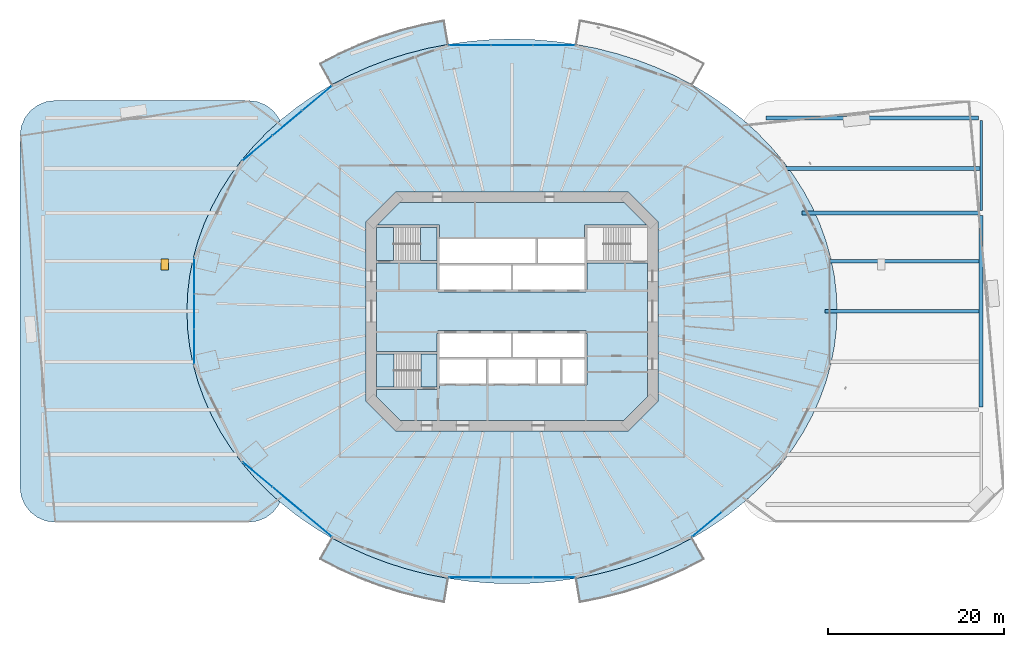
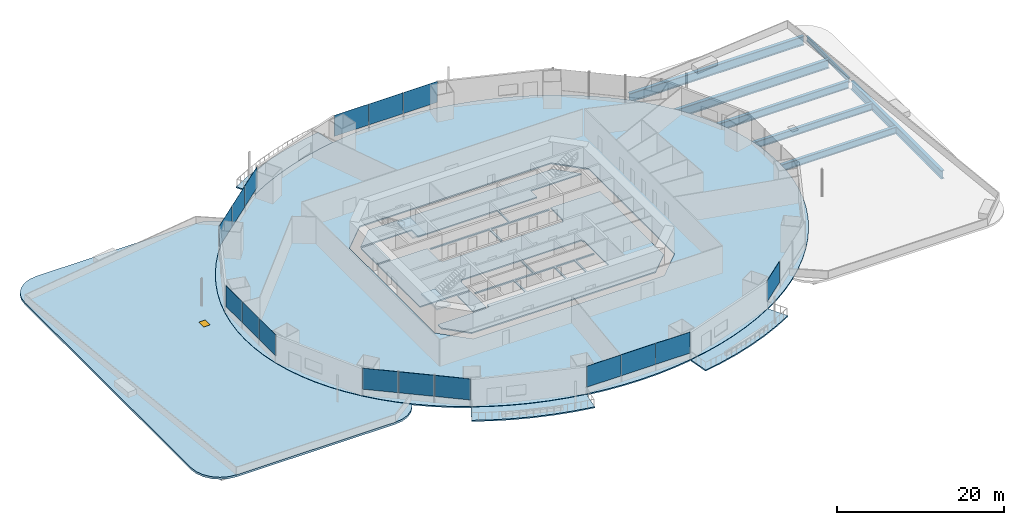
# One storey, part 16 of 27: 16 plates, 11 slabs, 7 beams, 1 window, 1 opening, 8 elements without a shape of their own.
"""IFC4 building model written with IfcOpenShell, lengths in metres."""

from ifc_helpers import new_model, si_unit, direction, frame, origin, origin_2d, place, context, subcontext, project, spatial, polyline, rectangle, i_section, outline, extrude, material, layer, layer_set, material_profile, profile_set, type_object, element, fill, aggregate, save


model = new_model("IFC4")

# Units and contexts
model_context = context("Model", 3, precision=1e-05, world=origin(), true_north=direction((0.0, 1.0)))
body_context = subcontext(model_context, "Body", "Model", "MODEL_VIEW")
ifc_project = project(units=[si_unit("LENGTHUNIT", "METRE"), si_unit("AREAUNIT", "SQUARE_METRE"), si_unit("VOLUMEUNIT", "CUBIC_METRE"), si_unit("PLANEANGLEUNIT", "RADIAN"), si_unit("MASSUNIT", "GRAM", prefix="KILO")], contexts=[model_context])

# Site, building, storey
site_placement = place(None, origin())
site = spatial("IfcSite", under=ifc_project, at=site_placement, CompositionType="ELEMENT")
building_placement = place(site_placement, origin())
building = spatial("IfcBuilding", under=site, at=building_placement, Name="Marenthal Gate Tower", CompositionType="ELEMENT")
storey_placement = place(building_placement, frame((0.0, 0.0, 33.0)))
storey = spatial("IfcBuildingStorey", under=building, at=storey_placement, Name="L04", CompositionType="ELEMENT", Elevation=33.0)

# Beams
ifc_material_1 = material(Name="Steel S355", Category="steel")
ifc_material_profile_1 = material_profile(ifc_material_1, i_section(OverallWidth=0.419921875, OverallDepth=1.0, WebThickness=0.02001953125, FlangeThickness=0.035888671875, at=origin_2d()), Name="PLATE GIRDER 1000X420X20X36")
ifc_profile_set_1 = profile_set([ifc_material_profile_1], Name="Steel S355")
beam_type_1 = type_object("IfcBeamType", Name="PLATE GIRDER 1000X420X20X36 beam", PredefinedType="BEAM", material=ifc_profile_set_1)
beam_1_placement = place(storey_placement, frame((35.62158203125, 0.0, -0.840087890625), z_axis=(1.0, 0.0, 0.0), x_axis=(0.0, 1.0, 0.0)))
element("IfcBeam", 1, at=beam_1_placement, inside=storey, type_object=beam_type_1, Name="BM-L04-108", PredefinedType="BEAM", context=body_context, shape_type="SweptSolid", body=[
    extrude(i_section(OverallWidth=0.419921875, OverallDepth=1.0, WebThickness=0.02001953125, FlangeThickness=0.035888671875, at=origin_2d()), origin(), (0.0, 0.0, 1.0), 17.553466796875),
])
beam_2_placement = place(storey_placement, frame((36.061279296875, 5.716064453125, -0.840087890625), z_axis=(1.0, 0.0, 0.0), x_axis=(0.0, 1.0, 0.0)))
element("IfcBeam", 2, at=beam_2_placement, inside=storey, type_object=beam_type_1, Name="BM-L04-109", PredefinedType="BEAM", context=body_context, shape_type="SweptSolid", body=[
    extrude(i_section(OverallWidth=0.419921875, OverallDepth=1.0, WebThickness=0.02001953125, FlangeThickness=0.035888671875, at=origin_2d()), origin(), (0.0, 0.0, 1.0), 17.11376953125),
])
ifc_material_2 = material(Name="Steel S355", Category="steel")
ifc_material_profile_2 = material_profile(ifc_material_2, i_section(OverallWidth=0.429931640625, OverallDepth=1.10009765625, WebThickness=0.02001953125, FlangeThickness=0.0400390625, at=origin_2d()), Name="PLATE GIRDER 1100X430X20X40")
ifc_profile_set_2 = profile_set([ifc_material_profile_2], Name="Steel S355")
beam_type_2 = type_object("IfcBeamType", Name="PLATE GIRDER 1100X430X20X40 beam", PredefinedType="BEAM", material=ifc_profile_set_2)
beam_3_placement = place(storey_placement, frame((33.002685546875, 11.199951171875, -0.889892578125), z_axis=(1.0, 0.0, 0.0), x_axis=(0.0, 1.0, 0.0)))
element("IfcBeam", 3, at=beam_3_placement, inside=storey, type_object=beam_type_2, Name="BM-L04-110", PredefinedType="BEAM", context=body_context, shape_type="SweptSolid", body=[
    extrude(i_section(OverallWidth=0.429931640625, OverallDepth=1.10009765625, WebThickness=0.02001953125, FlangeThickness=0.0400390625, at=origin_2d()), origin(), (0.0, 0.0, 1.0), 20.097412109375),
])
ifc_material_3 = material(Name="Steel S355", Category="steel")
ifc_material_profile_3 = material_profile(ifc_material_3, i_section(OverallWidth=0.449951171875, OverallDepth=1.199951171875, WebThickness=0.02197265625, FlangeThickness=0.0400390625, at=origin_2d()), Name="PLATE GIRDER 1200X450X22X40")
ifc_profile_set_3 = profile_set([ifc_material_profile_3], Name="Steel S355")
beam_type_3 = type_object("IfcBeamType", Name="PLATE GIRDER 1200X450X22X40 beam", PredefinedType="BEAM", material=ifc_profile_set_3)
beam_4_placement = place(storey_placement, frame((53.39990234375, -10.89990234375, -0.93994140625), z_axis=(0.0, 1.0, 0.0), x_axis=(-1.0, 0.0, 0.0)))
element("IfcBeam", 4, at=beam_4_placement, inside=storey, type_object=beam_type_3, Name="BM-L04-102", PredefinedType="BEAM", context=body_context, shape_type="SweptSolid", body=[
    extrude(i_section(OverallWidth=0.449951171875, OverallDepth=1.199951171875, WebThickness=0.02197265625, FlangeThickness=0.0400390625, at=origin_2d()), origin(), (0.0, 0.0, 1.0), 21.7998046875),
])
ifc_material_4 = material(Name="Steel S355", Category="steel")
ifc_material_profile_4 = material_profile(ifc_material_4, i_section(OverallWidth=0.4599609375, OverallDepth=1.300048828125, WebThickness=0.02490234375, FlangeThickness=0.044921875, at=origin_2d()), Name="PLATE GIRDER 1300X460X25X45")
ifc_profile_set_4 = profile_set([ifc_material_profile_4], Name="Steel S355")
beam_type_4 = type_object("IfcBeamType", Name="PLATE GIRDER 1300X460X25X45 beam", PredefinedType="BEAM", material=ifc_profile_set_4)
beam_5_placement = place(storey_placement, frame((31.148193359375, 16.2783203125, -0.989990234375), z_axis=(1.0, 0.0, 0.0), x_axis=(0.0, 1.0, 0.0)))
element("IfcBeam", 5, at=beam_5_placement, inside=storey, type_object=beam_type_4, Name="BM-L04-111", PredefinedType="BEAM", context=body_context, shape_type="SweptSolid", body=[
    extrude(i_section(OverallWidth=0.4599609375, OverallDepth=1.300048828125, WebThickness=0.02490234375, FlangeThickness=0.044921875, at=origin_2d()), origin(), (0.0, 0.0, 1.0), 22.124755859375),
])
beam_6_placement = place(storey_placement, frame((28.89990234375, 22.0, -0.989990234375), z_axis=(1.0, 0.0, 0.0), x_axis=(0.0, 1.0, 0.0)))
element("IfcBeam", 6, at=beam_6_placement, inside=storey, type_object=beam_type_4, Name="BM-L04-112", PredefinedType="BEAM", context=body_context, shape_type="SweptSolid", body=[
    extrude(i_section(OverallWidth=0.4599609375, OverallDepth=1.300048828125, WebThickness=0.02490234375, FlangeThickness=0.044921875, at=origin_2d()), origin(), (0.0, 0.0, 1.0), 24.2001953125),
])
ifc_material_5 = material(Name="Steel S355", Category="steel")
ifc_material_profile_5 = material_profile(ifc_material_5, i_section(OverallWidth=0.25390625, OverallDepth=0.68310546875, WebThickness=0.012451171875, FlangeThickness=0.018798828125, FilletRadius=0.01513671875, at=origin_2d()), Name="W690X140")
ifc_profile_set_5 = profile_set([ifc_material_profile_5], Name="Steel S355")
beam_type_5 = type_object("IfcBeamType", Name="W690X140 beam", PredefinedType="BEAM", material=ifc_profile_set_5)
beam_7_placement = place(storey_placement, frame((53.39990234375, 11.5, -0.681396484375), z_axis=(0.0, 1.0, 0.0), x_axis=(-1.0, 0.0, 0.0)))
element("IfcBeam", 7, at=beam_7_placement, inside=storey, type_object=beam_type_5, Name="BM-L04-103", PredefinedType="BEAM", context=body_context, shape_type="SweptSolid", body=[
    extrude(i_section(OverallWidth=0.25390625, OverallDepth=0.68310546875, WebThickness=0.012451171875, FlangeThickness=0.018798828125, FilletRadius=0.01513671875, at=origin_2d()), origin(), (0.0, 0.0, 1.0), 10.199951171875),
])

# Slabs
ifc_material_6 = material(Name="Concrete 40 MPa", Category="concrete")
ifc_layer_1 = layer(ifc_material_6, 0.179931640625)
ifc_layer_set_1 = layer_set([ifc_layer_1], Name="Balcony deck 180")
slab_type_1 = type_object("IfcSlabType", Name="Balcony deck 180", PredefinedType="USERDEFINED", material=ifc_layer_set_1)
slab_1_placement = place(storey_placement, frame((0.0, 0.0, -0.219970703125)))
element("IfcSlab", 8, at=slab_1_placement, inside=storey, type_object=slab_type_1, Name="Balcony deck L04 bay 5", ObjectType="BALCONY", PredefinedType="USERDEFINED", context=body_context, shape_type="SweptSolid", body=[
    extrude(outline(polyline([(-7.21826171875, 30.404296875), (-9.576416015625, 29.943603515625), (-11.893310546875, 29.354736328125), (-14.1591796875, 28.640380859375), (-16.36474609375, 27.802978515625), (-18.5, 26.8466796875), (-20.55615234375, 25.775634765625), (-21.923828125, 28.21875), (-19.71923828125, 29.367431640625), (-17.433837890625, 30.390869140625), (-15.077392578125, 31.28564453125), (-12.6591796875, 32.048095703125), (-10.189697265625, 32.67578125), (-7.678466796875, 33.166259765625), (-7.21826171875, 30.404296875)])), origin(), (0.0, 0.0, 1.0), 0.179931640625),
])
slab_2_placement = place(storey_placement, frame((0.0, 0.0, -0.219970703125)))
element("IfcSlab", 9, at=slab_2_placement, inside=storey, type_object=slab_type_1, Name="Balcony deck L04 bay 11", ObjectType="BALCONY", PredefinedType="USERDEFINED", context=body_context, shape_type="SweptSolid", body=[
    extrude(outline(polyline([(-20.55615234375, -25.775634765625), (-18.5, -26.8466796875), (-16.36474609375, -27.802978515625), (-14.1591796875, -28.640380859375), (-11.893310546875, -29.354736328125), (-9.576416015625, -29.943603515625), (-7.21826171875, -30.404296875), (-7.678466796875, -33.166259765625), (-10.189697265625, -32.67578125), (-12.6591796875, -32.048095703125), (-15.077392578125, -31.28564453125), (-17.433837890625, -30.390869140625), (-19.71923828125, -29.367431640625), (-21.923828125, -28.21875), (-20.55615234375, -25.775634765625)])), origin(), (0.0, 0.0, 1.0), 0.179931640625),
])
slab_3_placement = place(storey_placement, frame((0.0, 0.0, -0.219970703125)))
element("IfcSlab", 10, at=slab_3_placement, inside=storey, type_object=slab_type_1, Name="Balcony deck L04 bay 13", ObjectType="BALCONY", PredefinedType="USERDEFINED", context=body_context, shape_type="SweptSolid", body=[
    extrude(outline(polyline([(7.21826171875, -30.404296875), (9.576416015625, -29.943603515625), (11.893310546875, -29.354736328125), (14.1591796875, -28.640380859375), (16.36474609375, -27.802978515625), (18.5, -26.8466796875), (20.55615234375, -25.775634765625), (21.923828125, -28.21875), (19.71923828125, -29.367431640625), (17.433837890625, -30.390869140625), (15.077392578125, -31.28564453125), (12.6591796875, -32.048095703125), (10.189697265625, -32.67578125), (7.678466796875, -33.166259765625), (7.21826171875, -30.404296875)])), origin(), (0.0, 0.0, 1.0), 0.179931640625),
])
ifc_material_7 = material(Name="Concrete 50 MPa", Category="concrete")
ifc_layer_2 = layer(ifc_material_7, 0.179931640625)
ifc_layer_set_2 = layer_set([ifc_layer_2], Name="Core floor slab 180")
slab_type_2 = type_object("IfcSlabType", Name="Core floor slab 180", PredefinedType="FLOOR", material=ifc_layer_set_2)
slab_4_placement = place(storey_placement, frame((0.0, 0.0, -0.179931640625)))
element("IfcSlab", 11, at=slab_4_placement, inside=storey, type_object=slab_type_2, Name="Core floor L04", PredefinedType="FLOOR", context=body_context, shape_type="SweptSolid", body=[
    extrude(outline(polyline([(15.39990234375, -9.75146484375), (12.75146484375, -12.39990234375), (-12.75146484375, -12.39990234375), (-15.39990234375, -9.75146484375), (-15.39990234375, -8.875), (-8.550048828125, -8.875), (-8.550048828125, -8.75), (-8.25, -8.75), (-8.25, -8.239990234375), (-5.60009765625, -8.239990234375), (-2.909912109375, -8.239990234375), (-2.909912109375, -5.4599609375), (-5.60009765625, -5.4599609375), (-8.25, -5.4599609375), (-8.25, -5.239990234375), (-5.60009765625, -5.239990234375), (-2.800048828125, -5.239990234375), (-0.110107421875, -5.239990234375), (-0.110107421875, -2.5), (0.110107421875, -2.5), (0.110107421875, -5.239990234375), (2.800048828125, -5.239990234375), (5.60009765625, -5.239990234375), (8.25, -5.239990234375), (8.25, -5.4599609375), (5.7099609375, -5.4599609375), (5.7099609375, -8.239990234375), (8.25, -8.239990234375), (8.25, -8.35009765625), (8.550048828125, -8.35009765625), (8.550048828125, -2.5), (8.39990234375, -2.5), (8.39990234375, -2.199951171875), (-8.39990234375, -2.199951171875), (-8.39990234375, -2.5), (-8.550048828125, -2.5), (-8.550048828125, -4.574951171875), (-15.39990234375, -4.574951171875), (-15.39990234375, 5.52490234375), (-8.550048828125, 5.52490234375), (-8.550048828125, 2.5), (-8.39990234375, 2.5), (-8.39990234375, 2.199951171875), (8.39990234375, 2.199951171875), (8.39990234375, 2.5), (8.550048828125, 2.5), (8.550048828125, 5.52490234375), (15.39990234375, 5.52490234375), (15.39990234375, -9.75146484375)]), holes=[polyline([(2.68994140625, -5.4599609375), (0.0, -5.4599609375), (-2.68994140625, -5.4599609375), (-2.68994140625, -8.239990234375), (0.0, -8.239990234375), (2.68994140625, -8.239990234375), (2.68994140625, -5.4599609375)]), polyline([(5.489990234375, -5.4599609375), (2.909912109375, -5.4599609375), (2.909912109375, -8.239990234375), (5.489990234375, -8.239990234375), (5.489990234375, -5.4599609375)])]), origin(), (0.0, 0.0, 1.0), 0.179931640625),
])
slab_5_placement = place(storey_placement, frame((0.0, 0.0, -0.179931640625)))
element("IfcSlab", 12, at=slab_5_placement, inside=storey, type_object=slab_type_2, Name="Core floor L04", PredefinedType="FLOOR", context=body_context, shape_type="SweptSolid", body=[
    extrude(outline(polyline([(12.75146484375, 12.39990234375), (15.326416015625, 9.824951171875), (8.550048828125, 9.824951171875), (8.25, 9.824951171875), (8.25, 8.35009765625), (8.25, 8.239990234375), (5.60009765625, 8.239990234375), (2.909912109375, 8.239990234375), (2.909912109375, 5.4599609375), (5.60009765625, 5.4599609375), (8.25, 5.4599609375), (8.25, 5.239990234375), (5.60009765625, 5.239990234375), (2.800048828125, 5.239990234375), (0.110107421875, 5.239990234375), (0.110107421875, 2.5), (-0.110107421875, 2.5), (-0.110107421875, 5.239990234375), (-2.800048828125, 5.239990234375), (-5.60009765625, 5.239990234375), (-8.25, 5.239990234375), (-8.25, 5.4599609375), (-5.60009765625, 5.4599609375), (-2.800048828125, 5.4599609375), (0.0, 5.4599609375), (2.68994140625, 5.4599609375), (2.68994140625, 8.239990234375), (0.0, 8.239990234375), (-2.800048828125, 8.239990234375), (-5.60009765625, 8.239990234375), (-8.25, 8.239990234375), (-8.25, 8.35009765625), (-8.25, 9.824951171875), (-8.550048828125, 9.824951171875), (-15.326416015625, 9.824951171875), (-12.75146484375, 12.39990234375), (12.75146484375, 12.39990234375)])), origin(), (0.0, 0.0, 1.0), 0.179931640625),
])
slab_6_placement = place(storey_placement, frame((0.0, 0.0, -0.179931640625)))
element("IfcSlab", 13, at=slab_6_placement, inside=storey, type_object=slab_type_2, Name="Core floor L04", PredefinedType="FLOOR", context=body_context, shape_type="SweptSolid", body=[
    extrude(outline(polyline([(-15.39990234375, 9.574951171875), (-13.5, 9.574951171875), (-13.5, 5.77490234375), (-15.39990234375, 5.77490234375), (-15.39990234375, 9.574951171875)])), origin(), (0.0, 0.0, 1.0), 0.179931640625),
])
slab_7_placement = place(storey_placement, frame((0.0, 0.0, -0.179931640625)))
element("IfcSlab", 14, at=slab_7_placement, inside=storey, type_object=slab_type_2, Name="Core floor L04", PredefinedType="FLOOR", context=body_context, shape_type="SweptSolid", body=[
    extrude(outline(polyline([(-8.550048828125, -8.625), (-10.35009765625, -8.625), (-10.35009765625, -4.824951171875), (-8.550048828125, -4.824951171875), (-8.550048828125, -8.625)])), origin(), (0.0, 0.0, 1.0), 0.179931640625),
])
ifc_material_8 = material(Name="Concrete 35 MPa", Category="concrete")
ifc_layer_3 = layer(ifc_material_8, 0.179931640625)
ifc_layer_set_3 = layer_set([ifc_layer_3], Name="Floor slab 180")
slab_type_3 = type_object("IfcSlabType", Name="Floor slab 180", PredefinedType="FLOOR", material=ifc_layer_set_3)
slab_8_placement = place(storey_placement, frame((0.0, 0.0, -0.179931640625)))
element("IfcSlab", 15, at=slab_8_placement, inside=storey, type_object=slab_type_3, Name="SL-L04-01", PredefinedType="FLOOR", context=body_context, shape_type="SweptSolid", body=[
    extrude(outline(polyline([(37.0, 0.0), (36.9208984375, 2.027587890625), (36.68359375, 4.04638671875), (36.2890625, 6.0478515625), (35.7392578125, 8.0234375), (35.036376953125, 9.964599609375), (34.18359375, 11.86328125), (33.184326171875, 13.7109375), (32.04296875, 15.5), (30.764404296875, 17.22265625), (29.35400390625, 18.87158203125), (27.818115234375, 20.439697265625), (26.1630859375, 21.92041015625), (24.395751953125, 23.306884765625), (22.524169921875, 24.593994140625), (20.55615234375, 25.775634765625), (18.5, 26.8466796875), (16.36474609375, 27.802978515625), (14.1591796875, 28.640380859375), (11.893310546875, 29.354736328125), (9.576416015625, 29.943603515625), (7.21826171875, 30.404296875), (4.82958984375, 30.73486328125), (2.419921875, 30.93359375), (0.0, 31.0), (-2.419921875, 30.93359375), (-4.82958984375, 30.73486328125), (-7.21826171875, 30.404296875), (-9.576416015625, 29.943603515625), (-11.893310546875, 29.354736328125), (-14.1591796875, 28.640380859375), (-16.36474609375, 27.802978515625), (-18.5, 26.8466796875), (-20.55615234375, 25.775634765625), (-22.524169921875, 24.593994140625), (-24.395751953125, 23.306884765625), (-26.1630859375, 21.92041015625), (-27.818115234375, 20.439697265625), (-29.35400390625, 18.87158203125), (-30.764404296875, 17.22265625), (-32.04296875, 15.5), (-33.184326171875, 13.7109375), (-34.18359375, 11.86328125), (-35.036376953125, 9.964599609375), (-35.7392578125, 8.0234375), (-36.2890625, 6.0478515625), (-36.68359375, 4.04638671875), (-36.9208984375, 2.027587890625), (-37.0, 0.0), (-36.9208984375, -2.027587890625), (-36.68359375, -4.04638671875), (-36.2890625, -6.0478515625), (-35.7392578125, -8.0234375), (-35.036376953125, -9.964599609375), (-34.18359375, -11.86328125), (-33.184326171875, -13.7109375), (-32.04296875, -15.5), (-30.764404296875, -17.22265625), (-29.35400390625, -18.87158203125), (-27.818115234375, -20.439697265625), (-26.1630859375, -21.92041015625), (-24.395751953125, -23.306884765625), (-22.524169921875, -24.593994140625), (-20.55615234375, -25.775634765625), (-18.5, -26.8466796875), (-16.36474609375, -27.802978515625), (-14.1591796875, -28.640380859375), (-11.893310546875, -29.354736328125), (-9.576416015625, -29.943603515625), (-7.21826171875, -30.404296875), (-4.82958984375, -30.73486328125), (-2.419921875, -30.93359375), (0.0, -31.0), (2.419921875, -30.93359375), (4.82958984375, -30.73486328125), (7.21826171875, -30.404296875), (9.576416015625, -29.943603515625), (11.893310546875, -29.354736328125), (14.1591796875, -28.640380859375), (16.36474609375, -27.802978515625), (18.5, -26.8466796875), (20.55615234375, -25.775634765625), (22.524169921875, -24.593994140625), (24.395751953125, -23.306884765625), (26.1630859375, -21.92041015625), (27.818115234375, -20.439697265625), (29.35400390625, -18.87158203125), (30.764404296875, -17.22265625), (32.04296875, -15.5), (33.184326171875, -13.7109375), (34.18359375, -11.86328125), (35.036376953125, -9.964599609375), (35.7392578125, -8.0234375), (36.2890625, -6.0478515625), (36.68359375, -4.04638671875), (36.9208984375, -2.027587890625), (37.0, 0.0)]), holes=[polyline([(13.24853515625, -13.60009765625), (16.60009765625, -10.24853515625), (16.60009765625, 10.24853515625), (13.24853515625, 13.60009765625), (-13.24853515625, 13.60009765625), (-16.60009765625, 10.24853515625), (-16.60009765625, -10.24853515625), (-13.24853515625, -13.60009765625), (13.24853515625, -13.60009765625)])]), origin(), (0.0, 0.0, 1.0), 0.179931640625),
])

# Curtain wall, plates
ifc_material_9 = material(Name="Aluminium and glass", Category="aluminium")
curtain_wall_type = type_object("IfcCurtainWallType", Name="Curtain wall typical low", PredefinedType="NOTDEFINED", material=ifc_material_9)
curtain_wall_1_placement = place(storey_placement, origin())
curtain_wall_1 = element("IfcCurtainWall", 16, at=curtain_wall_1_placement, inside=storey, type_object=curtain_wall_type, Name="Curtain wall L04 bay 4", PredefinedType="NOTDEFINED")
ifc_material_10 = material(Name="Glass, laminated insulating unit", Category="glass")
ifc_layer_4 = layer(ifc_material_10, 0.030029296875)
ifc_layer_set_4 = layer_set([ifc_layer_4], Name="Glass panel 30 typical low")
plate_type = type_object("IfcPlateType", Name="Glass panel 30 typical low", PredefinedType="CURTAIN_PANEL", material=ifc_layer_set_4)
plate_1_placement = place(storey_placement, frame((4.776611328125, 30.28662109375, 0.89990234375), z_axis=(0.0, 0.0, 1.0), x_axis=(-1.0, 0.0, 0.0)))
plate_1 = element("IfcPlate", 17, at=plate_1_placement, type_object=plate_type, Name="Glass panel L04 bay 4.1", PredefinedType="CURTAIN_PANEL", context=body_context, shape_type="SweptSolid", body=[
    extrude(rectangle(XDim=4.716552734375, YDim=0.030029296875, at=origin_2d()), origin(), (0.0, 0.0, 1.0), 3.070068359375),
])
plate_2_placement = place(storey_placement, frame((0.0, 30.28662109375, 0.89990234375), z_axis=(0.0, 0.0, 1.0), x_axis=(-1.0, 0.0, 0.0)))
plate_2 = element("IfcPlate", 18, at=plate_2_placement, type_object=plate_type, Name="Glass panel L04 bay 4.2", PredefinedType="CURTAIN_PANEL", context=body_context, shape_type="SweptSolid", body=[
    extrude(rectangle(XDim=4.716552734375, YDim=0.030029296875, at=origin_2d()), origin(), (0.0, 0.0, 1.0), 3.070068359375),
])
plate_3_placement = place(storey_placement, frame((-4.776611328125, 30.28662109375, 0.89990234375), z_axis=(0.0, 0.0, 1.0), x_axis=(-1.0, 0.0, 0.0)))
plate_3 = element("IfcPlate", 19, at=plate_3_placement, type_object=plate_type, Name="Glass panel L04 bay 4.3", PredefinedType="CURTAIN_PANEL", context=body_context, shape_type="SweptSolid", body=[
    extrude(rectangle(XDim=4.716552734375, YDim=0.030029296875, at=origin_2d()), origin(), (0.0, 0.0, 1.0), 3.070068359375),
])
aggregate(curtain_wall_1, [plate_1, plate_2, plate_3])

curtain_wall_2_placement = place(storey_placement, origin())
curtain_wall_2 = element("IfcCurtainWall", 20, at=curtain_wall_2_placement, inside=storey, type_object=curtain_wall_type, Name="Curtain wall L04 bay 6", PredefinedType="NOTDEFINED")
plate_4_placement = place(storey_placement, frame((-22.20068359375, 24.242919921875, 0.89990234375), z_axis=(0.0, 0.0, 1.0), x_axis=(-0.76671954771, -0.641982192245, 0.0)))
plate_4 = element("IfcPlate", 21, at=plate_4_placement, type_object=plate_type, Name="Glass panel L04 bay 6.1", PredefinedType="CURTAIN_PANEL", context=body_context, shape_type="SweptSolid", body=[
    extrude(rectangle(XDim=4.34375, YDim=0.030029296875, at=origin_2d()), origin(), (0.0, 0.0, 1.0), 3.070068359375),
])
plate_5_placement = place(storey_placement, frame((-25.576904296875, 21.416015625, 0.89990234375), z_axis=(0.0, 0.0, 1.0), x_axis=(-0.76671954771, -0.641982192245, 0.0)))
plate_5 = element("IfcPlate", 22, at=plate_5_placement, type_object=plate_type, Name="Glass panel L04 bay 6.2", PredefinedType="CURTAIN_PANEL", context=body_context, shape_type="SweptSolid", body=[
    extrude(rectangle(XDim=4.34375, YDim=0.030029296875, at=origin_2d()), origin(), (0.0, 0.0, 1.0), 3.070068359375),
])
plate_6_placement = place(storey_placement, frame((-28.953369140625, 18.5888671875, 0.89990234375), z_axis=(0.0, 0.0, 1.0), x_axis=(-0.76671954771, -0.641982192245, 0.0)))
plate_6 = element("IfcPlate", 23, at=plate_6_placement, type_object=plate_type, Name="Glass panel L04 bay 6.3", PredefinedType="CURTAIN_PANEL", context=body_context, shape_type="SweptSolid", body=[
    extrude(rectangle(XDim=4.34375, YDim=0.030029296875, at=origin_2d()), origin(), (0.0, 0.0, 1.0), 3.070068359375),
])
aggregate(curtain_wall_2, [plate_4, plate_5, plate_6])

curtain_wall_3_placement = place(storey_placement, origin())
curtain_wall_3 = element("IfcCurtainWall", 24, at=curtain_wall_3_placement, inside=storey, type_object=curtain_wall_type, Name="Curtain wall L04 bay 8", PredefinedType="NOTDEFINED")
plate_7_placement = place(storey_placement, frame((-36.17138671875, 3.996337890625, 0.89990234375), z_axis=(0.0, 0.0, 1.0), x_axis=(0.0, -1.0, 0.0)))
plate_7 = element("IfcPlate", 25, at=plate_7_placement, type_object=plate_type, Name="Glass panel L04 bay 8.1", PredefinedType="CURTAIN_PANEL", context=body_context, shape_type="SweptSolid", body=[
    extrude(rectangle(XDim=3.936279296875, YDim=0.030029296875, at=origin_2d()), origin(), (0.0, 0.0, 1.0), 3.070068359375),
])
plate_8_placement = place(storey_placement, frame((-36.17138671875, 0.0, 0.89990234375), z_axis=(0.0, 0.0, 1.0), x_axis=(0.0, -1.0, 0.0)))
plate_8 = element("IfcPlate", 26, at=plate_8_placement, type_object=plate_type, Name="Glass panel L04 bay 8.2", PredefinedType="CURTAIN_PANEL", context=body_context, shape_type="SweptSolid", body=[
    extrude(rectangle(XDim=3.936279296875, YDim=0.030029296875, at=origin_2d()), origin(), (0.0, 0.0, 1.0), 3.070068359375),
])
plate_9_placement = place(storey_placement, frame((-36.17138671875, -3.996337890625, 0.89990234375), z_axis=(0.0, 0.0, 1.0), x_axis=(0.0, -1.0, 0.0)))
plate_9 = element("IfcPlate", 27, at=plate_9_placement, type_object=plate_type, Name="Glass panel L04 bay 8.3", PredefinedType="CURTAIN_PANEL", context=body_context, shape_type="SweptSolid", body=[
    extrude(rectangle(XDim=3.936279296875, YDim=0.030029296875, at=origin_2d()), origin(), (0.0, 0.0, 1.0), 3.070068359375),
])
aggregate(curtain_wall_3, [plate_7, plate_8, plate_9])

curtain_wall_4_placement = place(storey_placement, origin())
curtain_wall_4 = element("IfcCurtainWall", 28, at=curtain_wall_4_placement, inside=storey, type_object=curtain_wall_type, Name="Curtain wall L04 bay 10", PredefinedType="NOTDEFINED")
plate_10_placement = place(storey_placement, frame((-28.953369140625, -18.5888671875, 0.89990234375), z_axis=(0.0, 0.0, 1.0), x_axis=(0.76671954771, -0.641982192245, 0.0)))
plate_10 = element("IfcPlate", 29, at=plate_10_placement, type_object=plate_type, Name="Glass panel L04 bay 10.1", PredefinedType="CURTAIN_PANEL", context=body_context, shape_type="SweptSolid", body=[
    extrude(rectangle(XDim=4.34375, YDim=0.030029296875, at=origin_2d()), origin(), (0.0, 0.0, 1.0), 3.070068359375),
])
plate_11_placement = place(storey_placement, frame((-25.576904296875, -21.416015625, 0.89990234375), z_axis=(0.0, 0.0, 1.0), x_axis=(0.76671954771, -0.641982192245, 0.0)))
plate_11 = element("IfcPlate", 30, at=plate_11_placement, type_object=plate_type, Name="Glass panel L04 bay 10.2", PredefinedType="CURTAIN_PANEL", context=body_context, shape_type="SweptSolid", body=[
    extrude(rectangle(XDim=4.34375, YDim=0.030029296875, at=origin_2d()), origin(), (0.0, 0.0, 1.0), 3.070068359375),
])
plate_12_placement = place(storey_placement, frame((-22.20068359375, -24.242919921875, 0.89990234375), z_axis=(0.0, 0.0, 1.0), x_axis=(0.76671954771, -0.641982192245, 0.0)))
plate_12 = element("IfcPlate", 31, at=plate_12_placement, type_object=plate_type, Name="Glass panel L04 bay 10.3", PredefinedType="CURTAIN_PANEL", context=body_context, shape_type="SweptSolid", body=[
    extrude(rectangle(XDim=4.34375, YDim=0.030029296875, at=origin_2d()), origin(), (0.0, 0.0, 1.0), 3.070068359375),
])
aggregate(curtain_wall_4, [plate_10, plate_11, plate_12])

curtain_wall_5_placement = place(storey_placement, origin())
curtain_wall_5 = element("IfcCurtainWall", 32, at=curtain_wall_5_placement, inside=storey, type_object=curtain_wall_type, Name="Curtain wall L04 bay 12", PredefinedType="NOTDEFINED")
plate_13_placement = place(storey_placement, frame((-4.776611328125, -30.28662109375, 0.89990234375), z_axis=(0.0, 0.0, 1.0), x_axis=(1.0, 0.0, 0.0)))
plate_13 = element("IfcPlate", 33, at=plate_13_placement, type_object=plate_type, Name="Glass panel L04 bay 12.1", PredefinedType="CURTAIN_PANEL", context=body_context, shape_type="SweptSolid", body=[
    extrude(rectangle(XDim=4.716552734375, YDim=0.030029296875, at=origin_2d()), origin(), (0.0, 0.0, 1.0), 3.070068359375),
])
plate_14_placement = place(storey_placement, frame((0.0, -30.28662109375, 0.89990234375), z_axis=(0.0, 0.0, 1.0), x_axis=(1.0, 0.0, 0.0)))
plate_14 = element("IfcPlate", 34, at=plate_14_placement, type_object=plate_type, Name="Glass panel L04 bay 12.2", PredefinedType="CURTAIN_PANEL", context=body_context, shape_type="SweptSolid", body=[
    extrude(rectangle(XDim=4.716552734375, YDim=0.030029296875, at=origin_2d()), origin(), (0.0, 0.0, 1.0), 3.070068359375),
])
plate_15_placement = place(storey_placement, frame((4.776611328125, -30.28662109375, 0.89990234375), z_axis=(0.0, 0.0, 1.0), x_axis=(1.0, 0.0, 0.0)))
plate_15 = element("IfcPlate", 35, at=plate_15_placement, type_object=plate_type, Name="Glass panel L04 bay 12.3", PredefinedType="CURTAIN_PANEL", context=body_context, shape_type="SweptSolid", body=[
    extrude(rectangle(XDim=4.716552734375, YDim=0.030029296875, at=origin_2d()), origin(), (0.0, 0.0, 1.0), 3.070068359375),
])
aggregate(curtain_wall_5, [plate_13, plate_14, plate_15])

# Curtain wall, plate
curtain_wall_6_placement = place(storey_placement, origin())
curtain_wall_6 = element("IfcCurtainWall", 36, at=curtain_wall_6_placement, inside=storey, type_object=curtain_wall_type, Name="Curtain wall L04 bay 14", PredefinedType="NOTDEFINED")
plate_16_placement = place(storey_placement, frame((22.20068359375, -24.242919921875, 0.89990234375), z_axis=(0.0, 0.0, 1.0), x_axis=(0.76671954771, 0.641982192245, 0.0)))
plate_16 = element("IfcPlate", 37, at=plate_16_placement, type_object=plate_type, Name="Glass panel L04 bay 14.1", PredefinedType="CURTAIN_PANEL", context=body_context, shape_type="SweptSolid", body=[
    extrude(rectangle(XDim=4.34375, YDim=0.030029296875, at=origin_2d()), origin(), (0.0, 0.0, 1.0), 3.070068359375),
])
aggregate(curtain_wall_6, [plate_16])

# Slab, opening, window
ifc_material_11 = material(Name="Concrete 35 MPa", Category="concrete")
ifc_layer_5 = layer(ifc_material_11, 0.300048828125)
ifc_layer_set_5 = layer_set([ifc_layer_5], Name="PODIUM ROOF 300")
slab_type_4 = type_object("IfcSlabType", Name="PODIUM ROOF 300", PredefinedType="ROOF", material=ifc_layer_set_5)
slab_9_placement = place(storey_placement, frame((0.0, 0.0, -0.340087890625)))
slab_9 = element("IfcSlab", 38, at=slab_9_placement, inside=storey, type_object=slab_type_4, Name="SL-L04-12", PredefinedType="ROOF", context=body_context, shape_type="SweptSolid", body=[
    extrude(outline(polyline([(-27.171630859375, -22.828369140625), (-28.0, -23.464111328125), (-28.964599609375, -23.86376953125), (-30.0, -24.0), (-52.0, -24.0), (-53.035400390625, -23.86376953125), (-54.0, -23.464111328125), (-54.828369140625, -22.828369140625), (-55.464111328125, -22.0), (-55.86376953125, -21.035400390625), (-56.0, -20.0), (-56.0, 20.0), (-55.86376953125, 21.035400390625), (-55.464111328125, 22.0), (-54.828369140625, 22.828369140625), (-54.0, 23.464111328125), (-53.035400390625, 23.86376953125), (-52.0, 24.0), (-30.0, 24.0), (-28.964599609375, 23.86376953125), (-28.0, 23.464111328125), (-27.171630859375, 22.828369140625), (-26.535888671875, 22.0), (-26.410888671875, 21.698486328125), (-27.818115234375, 20.439697265625), (-29.35400390625, 18.87158203125), (-30.764404296875, 17.22265625), (-32.04296875, 15.5), (-33.184326171875, 13.7109375), (-34.18359375, 11.86328125), (-35.036376953125, 9.964599609375), (-35.7392578125, 8.0234375), (-36.2890625, 6.0478515625), (-36.68359375, 4.04638671875), (-36.9208984375, 2.027587890625), (-37.0, 0.0), (-36.9208984375, -2.027587890625), (-36.68359375, -4.04638671875), (-36.2890625, -6.0478515625), (-35.7392578125, -8.0234375), (-35.036376953125, -9.964599609375), (-34.18359375, -11.86328125), (-33.184326171875, -13.7109375), (-32.04296875, -15.5), (-30.764404296875, -17.22265625), (-29.35400390625, -18.87158203125), (-27.818115234375, -20.439697265625), (-26.410888671875, -21.698486328125), (-26.535888671875, -22.0), (-27.171630859375, -22.828369140625)])), origin(), (0.0, 0.0, 1.0), 0.300048828125),
])
opening_placement = place(slab_9_placement, frame((-39.529052734375, 5.3369140625, 0.0)))
opening = element("IfcOpeningElement", 39, at=opening_placement, cuts=slab_9, Name="Opening WH2", PredefinedType="OPENING", context=body_context, shape_type="SweptSolid", body=[
    extrude(rectangle(XDim=0.89990234375, YDim=1.199951171875, at=origin_2d()), origin(), (0.0, 0.0, 1.0), 0.300048828125),
])
ifc_material_12 = material(Name="Aluminium and glass", Category="aluminium")
window_type = type_object("IfcWindowType", Name="Wing roof access hatch 900x1200", PartitioningType="SINGLE_PANEL", PredefinedType="SKYLIGHT", material=ifc_material_12)
window_placement = place(opening_placement, frame((0.0, 0.0, 0.25)))
window = element("IfcWindow", 40, at=window_placement, inside=storey, type_object=window_type, Name="Wing roof access hatch W", OverallHeight=1.199951171875, OverallWidth=0.89990234375, PartitioningType="SINGLE_PANEL", PredefinedType="SKYLIGHT", context=body_context, shape_type="SweptSolid", body=[
    extrude(rectangle(XDim=0.89990234375, YDim=1.199951171875, at=origin_2d()), origin(), (0.0, 0.0, 1.0), 0.050048828125),
])
fill(opening, window)

# Stair, slab
ifc_material_13 = material(Name="Concrete 40 MPa", Category="concrete")
stair_type = type_object("IfcStairType", Name="Exit stair 1800", PredefinedType="HALF_TURN_STAIR", material=ifc_material_13)
stair_1_placement = place(storey_placement, origin())
stair_1 = element("IfcStair", 41, at=stair_1_placement, inside=storey, type_object=stair_type, Name="Stair ST1", PredefinedType="HALF_TURN_STAIR")
ifc_material_14 = material(Name="Concrete 40 MPa", Category="concrete")
ifc_layer_6 = layer(ifc_material_14, 0.199951171875)
ifc_layer_set_6 = layer_set([ifc_layer_6], Name="Stair landing 200")
slab_type_5 = type_object("IfcSlabType", Name="Stair landing 200", PredefinedType="LANDING", material=ifc_layer_set_6)
slab_10_placement = place(storey_placement, frame((0.0, 0.0, 1.875)))
slab_10 = element("IfcSlab", 42, at=slab_10_placement, type_object=slab_type_5, Name="ST1 landing 1", PredefinedType="LANDING", context=body_context, shape_type="SweptSolid", body=[
    extrude(outline(polyline([(-10.419921875, 5.77490234375), (-8.550048828125, 5.77490234375), (-8.550048828125, 9.574951171875), (-10.419921875, 9.574951171875), (-10.419921875, 5.77490234375)])), origin(), (0.0, 0.0, 1.0), 0.199951171875),
])
aggregate(stair_1, [slab_10])

stair_2_placement = place(storey_placement, origin())
stair_2 = element("IfcStair", 43, at=stair_2_placement, inside=storey, type_object=stair_type, Name="Stair ST2", PredefinedType="HALF_TURN_STAIR")
slab_11_placement = place(storey_placement, frame((0.0, 0.0, 1.875)))
slab_11 = element("IfcSlab", 44, at=slab_11_placement, type_object=slab_type_5, Name="ST2 landing 1", PredefinedType="LANDING", context=body_context, shape_type="SweptSolid", body=[
    extrude(outline(polyline([(-15.39990234375, -8.625), (-13.429931640625, -8.625), (-13.429931640625, -4.824951171875), (-15.39990234375, -4.824951171875), (-15.39990234375, -8.625)])), origin(), (0.0, 0.0, 1.0), 0.199951171875),
])
aggregate(stair_2, [slab_11])

save(model, "model.ifc")
